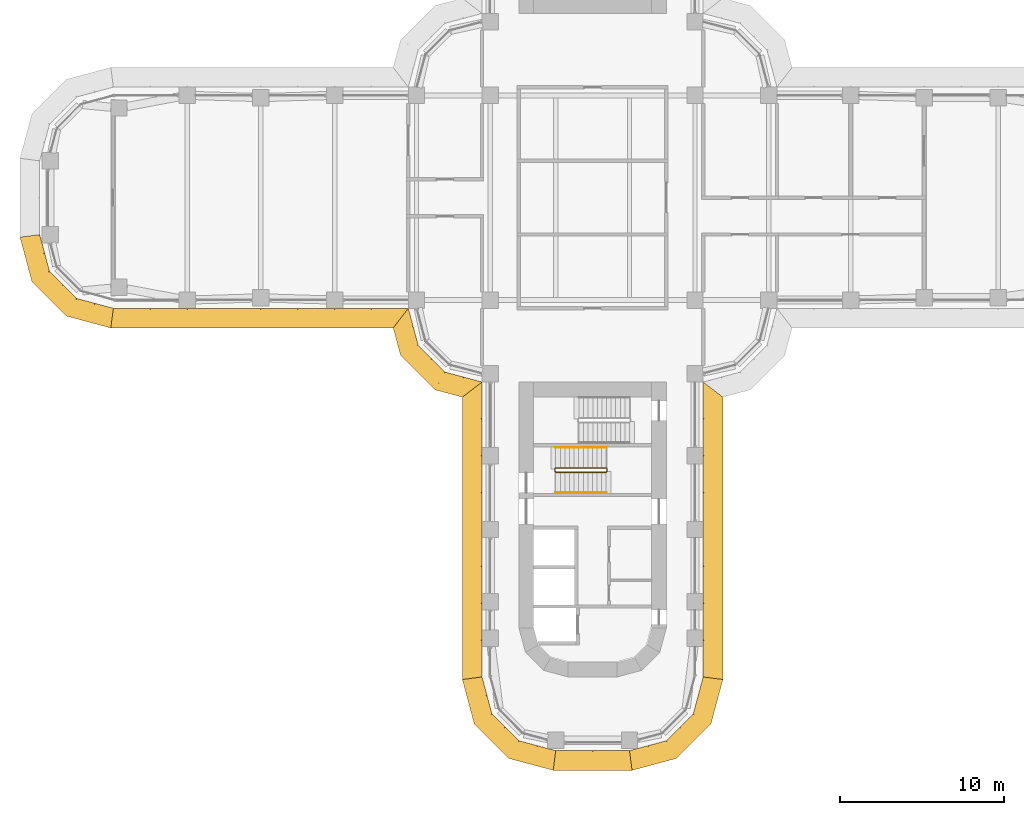
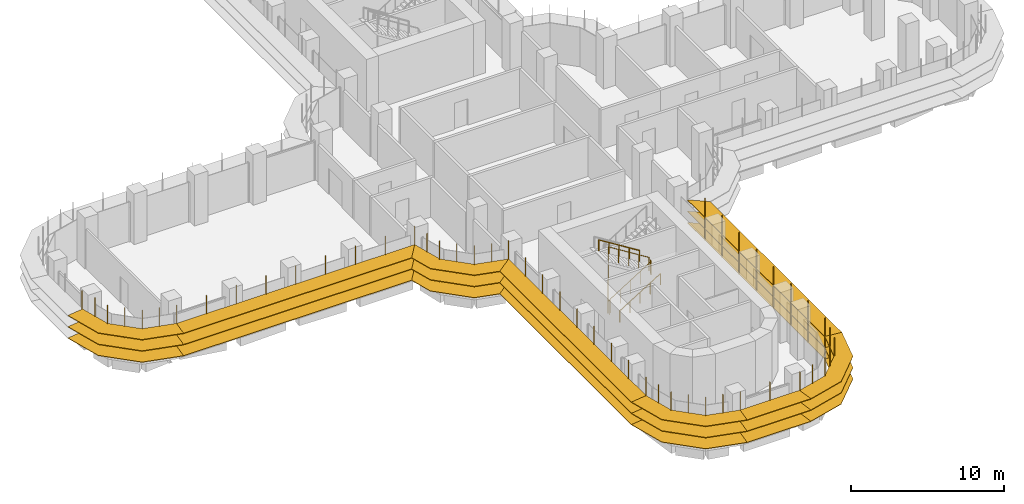
# One storey, part 20 of 23: 8 shading devices, 3 railings.
"""IFC4 building model written with IfcOpenShell, lengths in metres."""

from ifc_helpers import new_model, si_unit, direction, frame, origin, origin_2d, place, context, subcontext, project, spatial, polyline, circle, outline, extrude, faceted_brep, source, transform, mapped, material, type_object, element, save


model = new_model("IFC4")

# Units and contexts
model_context = context("Model", 3, precision=1e-05, world=origin(), true_north=direction((0.0, 1.0)))
body_context = subcontext(model_context, "Body", "Model", "MODEL_VIEW")
ifc_project = project(units=[si_unit("LENGTHUNIT", "METRE"), si_unit("AREAUNIT", "SQUARE_METRE"), si_unit("VOLUMEUNIT", "CUBIC_METRE"), si_unit("PLANEANGLEUNIT", "RADIAN"), si_unit("MASSUNIT", "GRAM", prefix="KILO")], contexts=[model_context])

# Site, building, storey
site_placement = place(None, origin())
site = spatial("IfcSite", under=ifc_project, at=site_placement, CompositionType="ELEMENT")
building_placement = place(site_placement, origin())
building = spatial("IfcBuilding", under=site, at=building_placement, Name="Zarbagh Exchange Tower", CompositionType="ELEMENT")
storey_placement = place(building_placement, frame((0.0, 0.0, 77.39990234375)))
storey = spatial("IfcBuildingStorey", under=building, at=storey_placement, Name="L17", CompositionType="ELEMENT", Elevation=77.39990234375)

# Railings
ifc_material_1 = material(Name="Stainless steel", Category="steel")
railing_type_1 = type_object("IfcRailingType", Name="Stair guard 1100 mm", PredefinedType="GUARDRAIL", material=ifc_material_1)
railing_1_placement = place(storey_placement, frame((0.830078125, -16.5, 2.275146484375)))
element("IfcRailing", 1, at=railing_1_placement, inside=storey, type_object=railing_type_1, Name="ST3 stair guard 1", PredefinedType="GUARDRAIL", context=body_context, shape_type="SweptSolid", body=[
    extrude(circle(Radius=0.02392578125, at=origin_2d()), frame((0.0, 0.0, 1.076171875), z_axis=(-0.847998304005, 0.0, 0.529998940003), x_axis=(0.0, -1.0, 0.0)), (0.0, 0.0, 1.0), 3.632080078125),
    extrude(circle(Radius=0.02392578125, at=origin_2d()), frame((-3.080078125, 0.0, 3.0009765625), z_axis=(-0.011914141993, -0.011914141993, -0.999858043145), x_axis=(0.707106781187, -0.707106781187, 0.0)), (0.0, 0.0, 1.0), 4.20068359375),
    extrude(circle(Radius=0.02392578125, at=origin_2d()), frame((-3.130126953125, -0.050048828125, -1.19921875), z_axis=(0.0, -1.0, 0.0), x_axis=(1.0, 0.0, 0.0)), (0.0, 0.0, 1.0), 0.14990234375),
    extrude(circle(Radius=0.02392578125, at=origin_2d()), frame((-3.130126953125, -0.199951171875, -1.19921875), z_axis=(0.265065253269, -0.265065253269, 0.927081885822), x_axis=(0.707106781187, 0.707106781187, 0.0)), (0.0, 0.0, 1.0), 0.188720703125),
    extrude(circle(Radius=0.02392578125, at=origin_2d()), frame((-3.080078125, -0.25, -1.02392578125), z_axis=(0.847998304005, 0.0, 0.529998940003), x_axis=(0.0, 1.0, 0.0)), (0.0, 0.0, 1.0), 3.632080078125),
    extrude(circle(Radius=0.02392578125, at=origin_2d()), frame((0.0, -0.25, 0.90087890625), z_axis=(0.705375805398, 0.708833529934, 0.0), x_axis=(-0.708833529934, 0.705375805398, 0.0)), (0.0, 0.0, 1.0), 0.070556640625),
    extrude(circle(Radius=0.02392578125, at=origin_2d()), frame((0.0498046875, -0.199951171875, 0.90087890625), z_axis=(0.0, 1.0, 0.0), x_axis=(-1.0, 0.0, 0.0)), (0.0, 0.0, 1.0), 0.14990234375),
    extrude(circle(Radius=0.02099609375, at=origin_2d()), origin(), (0.0, 0.0, 1.0), 1.052001953125),
    extrude(circle(Radius=0.02099609375, at=origin_2d()), frame((-0.77001953125, 0.0, 0.481201171875)), (0.0, 0.0, 1.0), 1.052001953125),
    extrude(circle(Radius=0.02099609375, at=origin_2d()), frame((-1.5400390625, 0.0, 0.96240234375)), (0.0, 0.0, 1.0), 1.052001953125),
    extrude(circle(Radius=0.02099609375, at=origin_2d()), frame((-2.31005859375, 0.0, 1.44384765625)), (0.0, 0.0, 1.0), 1.052001953125),
    extrude(circle(Radius=0.02099609375, at=origin_2d()), frame((-3.080078125, 0.0, 1.925048828125)), (0.0, 0.0, 1.0), 1.052001953125),
    extrude(circle(Radius=0.02099609375, at=origin_2d()), frame((-3.092529296875, -0.012451171875, 0.875)), (0.0, 0.0, 1.0), 1.052001953125),
    extrude(circle(Radius=0.02099609375, at=origin_2d()), frame((-3.10498046875, -0.02490234375, -0.175048828125)), (0.0, 0.0, 1.0), 1.052001953125),
    extrude(circle(Radius=0.02099609375, at=origin_2d()), frame((-3.11767578125, -0.03759765625, -1.22509765625)), (0.0, 0.0, 1.0), 1.052001953125),
    extrude(circle(Radius=0.02099609375, at=origin_2d()), frame((-3.130126953125, -0.050048828125, -2.275146484375)), (0.0, 0.0, 1.0), 1.052001953125),
    extrude(circle(Radius=0.02099609375, at=origin_2d()), frame((-3.130126953125, -0.199951171875, -2.275146484375)), (0.0, 0.0, 1.0), 1.052001953125),
    extrude(circle(Radius=0.02099609375, at=origin_2d()), frame((-3.080078125, -0.25, -2.10009765625)), (0.0, 0.0, 1.0), 1.052001953125),
    extrude(circle(Radius=0.02099609375, at=origin_2d()), frame((-2.31005859375, -0.25, -1.618896484375)), (0.0, 0.0, 1.0), 1.052001953125),
    extrude(circle(Radius=0.02099609375, at=origin_2d()), frame((-1.5400390625, -0.25, -1.1376953125)), (0.0, 0.0, 1.0), 1.052001953125),
    extrude(circle(Radius=0.02099609375, at=origin_2d()), frame((-0.77001953125, -0.25, -0.65625)), (0.0, 0.0, 1.0), 1.052001953125),
    extrude(circle(Radius=0.02099609375, at=origin_2d()), frame((0.0, -0.25, -0.175048828125)), (0.0, 0.0, 1.0), 1.052001953125),
    extrude(circle(Radius=0.02099609375, at=origin_2d()), frame((0.0498046875, -0.199951171875, -0.175048828125)), (0.0, 0.0, 1.0), 1.052001953125),
    extrude(circle(Radius=0.02099609375, at=origin_2d()), frame((0.0498046875, -0.050048828125, -0.175048828125)), (0.0, 0.0, 1.0), 1.052001953125),
])
railing_type_2 = type_object("IfcRailingType", Name="Stair handrail 900 mm", PredefinedType="HANDRAIL", material=ifc_material_1)
railing_2_placement = place(storey_placement, frame((-2.25, -18.0, 0.175048828125)))
element("IfcRailing", 2, at=railing_2_placement, inside=storey, type_object=railing_type_2, Name="ST3 stair handrail 1", PredefinedType="HANDRAIL", context=body_context, shape_type="SweptSolid", body=[
    extrude(circle(Radius=0.02392578125, at=origin_2d()), frame((0.0, 0.0, 0.8759765625), z_axis=(0.847998304005, 0.0, 0.529998940003), x_axis=(0.0, 1.0, 0.0)), (0.0, 0.0, 1.0), 3.632080078125),
    extrude(circle(Radius=0.02099609375, at=origin_2d()), origin(), (0.0, 0.0, 1.0), 0.851806640625),
    extrude(circle(Radius=0.02099609375, at=origin_2d()), frame((0.77001953125, 0.0, 0.481201171875)), (0.0, 0.0, 1.0), 0.851806640625),
    extrude(circle(Radius=0.02099609375, at=origin_2d()), frame((1.5400390625, 0.0, 0.96240234375)), (0.0, 0.0, 1.0), 0.851806640625),
    extrude(circle(Radius=0.02099609375, at=origin_2d()), frame((2.31005859375, 0.0, 1.44384765625)), (0.0, 0.0, 1.0), 0.851806640625),
    extrude(circle(Radius=0.02099609375, at=origin_2d()), frame((3.080078125, 0.0, 1.925048828125)), (0.0, 0.0, 1.0), 0.851806640625),
])
railing_3_placement = place(storey_placement, frame((0.830078125, -15.25, 2.275146484375)))
element("IfcRailing", 3, at=railing_3_placement, inside=storey, type_object=railing_type_2, Name="ST3 stair handrail 2", PredefinedType="HANDRAIL", context=body_context, shape_type="SweptSolid", body=[
    extrude(circle(Radius=0.02392578125, at=origin_2d()), frame((0.0, 0.0, 0.8759765625), z_axis=(-0.847998304005, 0.0, 0.529998940003), x_axis=(0.0, -1.0, 0.0)), (0.0, 0.0, 1.0), 3.632080078125),
    extrude(circle(Radius=0.02099609375, at=origin_2d()), origin(), (0.0, 0.0, 1.0), 0.851806640625),
    extrude(circle(Radius=0.02099609375, at=origin_2d()), frame((-0.77001953125, 0.0, 0.481201171875)), (0.0, 0.0, 1.0), 0.851806640625),
    extrude(circle(Radius=0.02099609375, at=origin_2d()), frame((-1.5400390625, 0.0, 0.96240234375)), (0.0, 0.0, 1.0), 0.851806640625),
    extrude(circle(Radius=0.02099609375, at=origin_2d()), frame((-2.31005859375, 0.0, 1.44384765625)), (0.0, 0.0, 1.0), 0.851806640625),
    extrude(circle(Radius=0.02099609375, at=origin_2d()), frame((-3.080078125, 0.0, 1.925048828125)), (0.0, 0.0, 1.0), 0.851806640625),
])

# Shading devices
ifc_material_2 = material(Name="Anodised aluminium blades and brackets", Category="aluminium")
shading_device_type = type_object("IfcShadingDeviceType", Name="SUNSHADE louvre band, 0 degree blades", PredefinedType="JALOUSIE", material=ifc_material_2)
shared_shape_1 = source(origin(), body_context, "Body", "Brep", [
    faceted_brep([(0.0, 0.0, 0.0), (0.0, 0.0, -0.0400390625), (-0.157958984375, -1.199951171875, -0.0400390625), (-0.157958984375, -1.199951171875, 0.0), (2.65087890625, -1.199951171875, 0.0), (2.65087890625, -1.199951171875, -0.0400390625), (2.329345703125, 0.0, -0.0400390625), (2.329345703125, 0.0, 0.0)], [[[0, 1, 2, 3]], [[4, 5, 6, 7]], [[0, 7, 6, 1]], [[1, 6, 5, 2]], [[2, 5, 4, 3]], [[3, 4, 7, 0]]]),
])
shared_shape_2 = source(origin(), body_context, "Body", "Brep", [
    faceted_brep([(0.0, 0.0, 0.0), (0.0, 0.0, -0.0400390625), (-0.321533203125, -1.199951171875, -0.0400390625), (-0.321533203125, -1.199951171875, 0.0), (2.65087890625, -1.199951171875, 0.0), (2.65087890625, -1.199951171875, -0.0400390625), (2.329345703125, 0.0, -0.0400390625), (2.329345703125, 0.0, 0.0)], [[[0, 1, 2, 3]], [[4, 5, 6, 7]], [[0, 7, 6, 1]], [[1, 6, 5, 2]], [[2, 5, 4, 3]], [[3, 4, 7, 0]]]),
])
shared_shape_3 = source(origin(), body_context, "Body", "Brep", [
    faceted_brep([(0.0, 0.0, 0.0), (0.0, 0.0, -0.0400390625), (-0.321533203125, -1.199951171875, -0.0400390625), (-0.321533203125, -1.199951171875, 0.0), (2.4873046875, -1.199951171875, 0.0), (2.4873046875, -1.199951171875, -0.0400390625), (2.329345703125, 0.0, -0.0400390625), (2.329345703125, 0.0, 0.0)], [[[0, 1, 2, 3]], [[4, 5, 6, 7]], [[0, 7, 6, 1]], [[1, 6, 5, 2]], [[2, 5, 4, 3]], [[3, 4, 7, 0]]]),
])
shared_shape_4 = source(origin(), body_context, "Body", "SweptSolid", [
    extrude(outline(polyline([(0.0, -0.012451171875), (0.06005859375, -0.012451171875), (0.06005859375, 0.012451171875), (0.0, 0.012451171875), (0.0, -0.012451171875)])), origin(), (0.0, 0.0, 1.0), 3.35009765625),
])
placement = place(storey_placement, origin())
element("IfcShadingDevice", 4, at=placement, inside=storey, type_object=shading_device_type, Name="SS01 sunshade band", PredefinedType="JALOUSIE", context=body_context, shape_type="MappedRepresentation", body=[
    mapped(shared_shape_1, transform((2.25, -33.75, 2.7001953125), x_axis=(0.965924289636, 0.258824779902, 0.0), y_axis=(-0.258824779902, 0.965924289636, 0.0), z_axis=(0.0, 0.0, 1.0))),
    mapped(shared_shape_1, transform((2.25, -33.75, 1.800048828125), x_axis=(0.965924289636, 0.258824779902, 0.0), y_axis=(-0.258824779902, 0.965924289636, 0.0), z_axis=(0.0, 0.0, 1.0))),
    mapped(shared_shape_1, transform((2.25, -33.75, 0.900146484375), x_axis=(0.965924289636, 0.258824779902, 0.0), y_axis=(-0.258824779902, 0.965924289636, 0.0), z_axis=(0.0, 0.0, 1.0))),
    mapped(shared_shape_2, transform((4.5, -33.147216796875, 2.7001953125), x_axis=(0.707106781187, 0.707106781187, 0.0), y_axis=(-0.707106781187, 0.707106781187, 0.0), z_axis=(0.0, 0.0, 1.0))),
    mapped(shared_shape_2, transform((4.5, -33.147216796875, 1.800048828125), x_axis=(0.707106781187, 0.707106781187, 0.0), y_axis=(-0.707106781187, 0.707106781187, 0.0), z_axis=(0.0, 0.0, 1.0))),
    mapped(shared_shape_2, transform((4.5, -33.147216796875, 0.900146484375), x_axis=(0.707106781187, 0.707106781187, 0.0), y_axis=(-0.707106781187, 0.707106781187, 0.0), z_axis=(0.0, 0.0, 1.0))),
    mapped(shared_shape_3, transform((6.147216796875, -31.5, 2.7001953125), x_axis=(0.258824779902, 0.965924289636, 0.0), y_axis=(-0.965924289636, 0.258824779902, 0.0), z_axis=(0.0, 0.0, 1.0))),
    mapped(shared_shape_3, transform((6.147216796875, -31.5, 1.800048828125), x_axis=(0.258824779902, 0.965924289636, 0.0), y_axis=(-0.965924289636, 0.258824779902, 0.0), z_axis=(0.0, 0.0, 1.0))),
    mapped(shared_shape_3, transform((6.147216796875, -31.5, 0.900146484375), x_axis=(0.258824779902, 0.965924289636, 0.0), y_axis=(-0.965924289636, 0.258824779902, 0.0), z_axis=(0.0, 0.0, 1.0))),
    mapped(shared_shape_4, transform((2.25, -33.75, 0.830078125), x_axis=(0.130529263012, -0.991444457092, 0.0), y_axis=(0.991444457092, 0.130529263012, 0.0), z_axis=(0.0, 0.0, 1.0))),
    mapped(shared_shape_4, transform((3.375, -33.448486328125, 0.830078125), x_axis=(0.258825058029, -0.96592421511, 0.0), y_axis=(0.96592421511, 0.258825058029, 0.0), z_axis=(0.0, 0.0, 1.0))),
    mapped(shared_shape_4, transform((4.5, -33.147216796875, 0.830078125), x_axis=(0.50000275701, -0.866023812018, 0.0), y_axis=(0.866023812018, 0.50000275701, 0.0), z_axis=(0.0, 0.0, 1.0))),
    mapped(shared_shape_4, transform((5.323486328125, -32.323486328125, 0.830078125), x_axis=(0.707106781187, -0.707106781187, 0.0), y_axis=(0.707106781187, 0.707106781187, 0.0), z_axis=(0.0, 0.0, 1.0))),
    mapped(shared_shape_4, transform((6.147216796875, -31.5, 0.830078125), x_axis=(0.866023812018, -0.50000275701, 0.0), y_axis=(0.50000275701, 0.866023812018, 0.0), z_axis=(0.0, 0.0, 1.0))),
    mapped(shared_shape_4, transform((6.448486328125, -30.375, 0.830078125), x_axis=(0.96592421511, -0.258825058029, 0.0), y_axis=(0.258825058029, 0.96592421511, 0.0), z_axis=(0.0, 0.0, 1.0))),
])
element("IfcShadingDevice", 5, at=placement, inside=storey, type_object=shading_device_type, Name="SS19 sunshade band", PredefinedType="JALOUSIE", context=body_context, shape_type="MappedRepresentation", body=[
    mapped(shared_shape_1, transform((-33.75, -2.25, 2.7001953125), x_axis=(0.258824779902, -0.965924289636, 0.0), y_axis=(0.965924289636, 0.258824779902, 0.0), z_axis=(0.0, 0.0, 1.0))),
    mapped(shared_shape_1, transform((-33.75, -2.25, 1.800048828125), x_axis=(0.258824779902, -0.965924289636, 0.0), y_axis=(0.965924289636, 0.258824779902, 0.0), z_axis=(0.0, 0.0, 1.0))),
    mapped(shared_shape_1, transform((-33.75, -2.25, 0.900146484375), x_axis=(0.258824779902, -0.965924289636, 0.0), y_axis=(0.965924289636, 0.258824779902, 0.0), z_axis=(0.0, 0.0, 1.0))),
    mapped(shared_shape_2, transform((-33.147216796875, -4.5, 2.7001953125), x_axis=(0.707106781187, -0.707106781187, 0.0), y_axis=(0.707106781187, 0.707106781187, 0.0), z_axis=(0.0, 0.0, 1.0))),
    mapped(shared_shape_2, transform((-33.147216796875, -4.5, 1.800048828125), x_axis=(0.707106781187, -0.707106781187, 0.0), y_axis=(0.707106781187, 0.707106781187, 0.0), z_axis=(0.0, 0.0, 1.0))),
    mapped(shared_shape_2, transform((-33.147216796875, -4.5, 0.900146484375), x_axis=(0.707106781187, -0.707106781187, 0.0), y_axis=(0.707106781187, 0.707106781187, 0.0), z_axis=(0.0, 0.0, 1.0))),
    mapped(shared_shape_3, transform((-31.5, -6.147216796875, 2.7001953125), x_axis=(0.965924289636, -0.258824779902, 0.0), y_axis=(0.258824779902, 0.965924289636, 0.0), z_axis=(0.0, 0.0, 1.0))),
    mapped(shared_shape_3, transform((-31.5, -6.147216796875, 1.800048828125), x_axis=(0.965924289636, -0.258824779902, 0.0), y_axis=(0.258824779902, 0.965924289636, 0.0), z_axis=(0.0, 0.0, 1.0))),
    mapped(shared_shape_3, transform((-31.5, -6.147216796875, 0.900146484375), x_axis=(0.965924289636, -0.258824779902, 0.0), y_axis=(0.258824779902, 0.965924289636, 0.0), z_axis=(0.0, 0.0, 1.0))),
    mapped(shared_shape_4, transform((-33.75, -2.25, 0.830078125), x_axis=(-0.991444457092, -0.130529263012, 0.0), y_axis=(0.130529263012, -0.991444457092, 0.0), z_axis=(0.0, 0.0, 1.0))),
    mapped(shared_shape_4, transform((-33.448486328125, -3.375, 0.830078125), x_axis=(-0.96592421511, -0.258825058029, 0.0), y_axis=(0.258825058029, -0.96592421511, 0.0), z_axis=(0.0, 0.0, 1.0))),
    mapped(shared_shape_4, transform((-33.147216796875, -4.5, 0.830078125), x_axis=(-0.866023812018, -0.50000275701, 0.0), y_axis=(0.50000275701, -0.866023812018, 0.0), z_axis=(0.0, 0.0, 1.0))),
    mapped(shared_shape_4, transform((-32.323486328125, -5.323486328125, 0.830078125), x_axis=(-0.707106781187, -0.707106781187, 0.0), y_axis=(0.707106781187, -0.707106781187, 0.0), z_axis=(0.0, 0.0, 1.0))),
    mapped(shared_shape_4, transform((-31.5, -6.147216796875, 0.830078125), x_axis=(-0.50000275701, -0.866023812018, 0.0), y_axis=(0.866023812018, -0.50000275701, 0.0), z_axis=(0.0, 0.0, 1.0))),
    mapped(shared_shape_4, transform((-30.375, -6.448486328125, 0.830078125), x_axis=(-0.258825058029, -0.96592421511, 0.0), y_axis=(0.96592421511, -0.258825058029, 0.0), z_axis=(0.0, 0.0, 1.0))),
])
element("IfcShadingDevice", 6, at=placement, inside=storey, type_object=shading_device_type, Name="SS23 sunshade band", PredefinedType="JALOUSIE", context=body_context, shape_type="MappedRepresentation", body=[
    mapped(shared_shape_1, transform((-6.75, -29.25, 2.7001953125), x_axis=(0.258824779902, -0.965924289636, 0.0), y_axis=(0.965924289636, 0.258824779902, 0.0), z_axis=(0.0, 0.0, 1.0))),
    mapped(shared_shape_1, transform((-6.75, -29.25, 1.800048828125), x_axis=(0.258824779902, -0.965924289636, 0.0), y_axis=(0.965924289636, 0.258824779902, 0.0), z_axis=(0.0, 0.0, 1.0))),
    mapped(shared_shape_1, transform((-6.75, -29.25, 0.900146484375), x_axis=(0.258824779902, -0.965924289636, 0.0), y_axis=(0.965924289636, 0.258824779902, 0.0), z_axis=(0.0, 0.0, 1.0))),
    mapped(shared_shape_2, transform((-6.147216796875, -31.5, 2.7001953125), x_axis=(0.707106781187, -0.707106781187, 0.0), y_axis=(0.707106781187, 0.707106781187, 0.0), z_axis=(0.0, 0.0, 1.0))),
    mapped(shared_shape_2, transform((-6.147216796875, -31.5, 1.800048828125), x_axis=(0.707106781187, -0.707106781187, 0.0), y_axis=(0.707106781187, 0.707106781187, 0.0), z_axis=(0.0, 0.0, 1.0))),
    mapped(shared_shape_2, transform((-6.147216796875, -31.5, 0.900146484375), x_axis=(0.707106781187, -0.707106781187, 0.0), y_axis=(0.707106781187, 0.707106781187, 0.0), z_axis=(0.0, 0.0, 1.0))),
    mapped(shared_shape_3, transform((-4.5, -33.147216796875, 2.7001953125), x_axis=(0.965924289636, -0.258824779902, 0.0), y_axis=(0.258824779902, 0.965924289636, 0.0), z_axis=(0.0, 0.0, 1.0))),
    mapped(shared_shape_3, transform((-4.5, -33.147216796875, 1.800048828125), x_axis=(0.965924289636, -0.258824779902, 0.0), y_axis=(0.258824779902, 0.965924289636, 0.0), z_axis=(0.0, 0.0, 1.0))),
    mapped(shared_shape_3, transform((-4.5, -33.147216796875, 0.900146484375), x_axis=(0.965924289636, -0.258824779902, 0.0), y_axis=(0.258824779902, 0.965924289636, 0.0), z_axis=(0.0, 0.0, 1.0))),
    mapped(shared_shape_4, transform((-6.75, -29.25, 0.830078125), x_axis=(-0.991444457092, -0.130529263012, 0.0), y_axis=(0.130529263012, -0.991444457092, 0.0), z_axis=(0.0, 0.0, 1.0))),
    mapped(shared_shape_4, transform((-6.448486328125, -30.375, 0.830078125), x_axis=(-0.96592421511, -0.258825058029, 0.0), y_axis=(0.258825058029, -0.96592421511, 0.0), z_axis=(0.0, 0.0, 1.0))),
    mapped(shared_shape_4, transform((-6.147216796875, -31.5, 0.830078125), x_axis=(-0.866023812018, -0.50000275701, 0.0), y_axis=(0.50000275701, -0.866023812018, 0.0), z_axis=(0.0, 0.0, 1.0))),
    mapped(shared_shape_4, transform((-5.323486328125, -32.323486328125, 0.830078125), x_axis=(-0.707106781187, -0.707106781187, 0.0), y_axis=(0.707106781187, -0.707106781187, 0.0), z_axis=(0.0, 0.0, 1.0))),
    mapped(shared_shape_4, transform((-4.5, -33.147216796875, 0.830078125), x_axis=(-0.50000275701, -0.866023812018, 0.0), y_axis=(0.866023812018, -0.50000275701, 0.0), z_axis=(0.0, 0.0, 1.0))),
    mapped(shared_shape_4, transform((-3.375, -33.448486328125, 0.830078125), x_axis=(-0.258825058029, -0.96592421511, 0.0), y_axis=(0.96592421511, -0.258825058029, 0.0), z_axis=(0.0, 0.0, 1.0))),
])
shared_shape_5 = source(origin(), body_context, "Body", "Brep", [
    faceted_brep([(0.0, 0.0, 0.0), (0.0, 0.0, -0.0400390625), (0.9208984375, -1.199951171875, -0.0400390625), (0.9208984375, -1.199951171875, 0.0), (2.65087890625, -1.199951171875, 0.0), (2.65087890625, -1.199951171875, -0.0400390625), (2.329345703125, 0.0, -0.0400390625), (2.329345703125, 0.0, 0.0)], [[[0, 1, 2, 3]], [[4, 5, 6, 7]], [[0, 7, 6, 1]], [[1, 6, 5, 2]], [[2, 5, 4, 3]], [[3, 4, 7, 0]]]),
])
shared_shape_6 = source(origin(), body_context, "Body", "Brep", [
    faceted_brep([(0.0, 0.0, 0.0), (0.0, 0.0, -0.0400390625), (-0.321533203125, -1.199951171875, -0.0400390625), (-0.321533203125, -1.199951171875, 0.0), (1.40869140625, -1.199951171875, 0.0), (1.40869140625, -1.199951171875, -0.0400390625), (2.329345703125, 0.0, -0.0400390625), (2.329345703125, 0.0, 0.0)], [[[0, 1, 2, 3]], [[4, 5, 6, 7]], [[0, 7, 6, 1]], [[1, 6, 5, 2]], [[2, 5, 4, 3]], [[3, 4, 7, 0]]]),
])
element("IfcShadingDevice", 7, at=placement, inside=storey, type_object=shading_device_type, Name="SS21 sunshade band", PredefinedType="JALOUSIE", context=body_context, shape_type="MappedRepresentation", body=[
    mapped(shared_shape_5, transform((-11.25, -6.75, 2.7001953125), x_axis=(0.258824779902, -0.965924289636, 0.0), y_axis=(0.965924289636, 0.258824779902, 0.0), z_axis=(0.0, 0.0, 1.0))),
    mapped(shared_shape_5, transform((-11.25, -6.75, 1.800048828125), x_axis=(0.258824779902, -0.965924289636, 0.0), y_axis=(0.965924289636, 0.258824779902, 0.0), z_axis=(0.0, 0.0, 1.0))),
    mapped(shared_shape_5, transform((-11.25, -6.75, 0.900146484375), x_axis=(0.258824779902, -0.965924289636, 0.0), y_axis=(0.965924289636, 0.258824779902, 0.0), z_axis=(0.0, 0.0, 1.0))),
    mapped(shared_shape_2, transform((-10.647216796875, -9.0, 2.7001953125), x_axis=(0.707106781187, -0.707106781187, 0.0), y_axis=(0.707106781187, 0.707106781187, 0.0), z_axis=(0.0, 0.0, 1.0))),
    mapped(shared_shape_2, transform((-10.647216796875, -9.0, 1.800048828125), x_axis=(0.707106781187, -0.707106781187, 0.0), y_axis=(0.707106781187, 0.707106781187, 0.0), z_axis=(0.0, 0.0, 1.0))),
    mapped(shared_shape_2, transform((-10.647216796875, -9.0, 0.900146484375), x_axis=(0.707106781187, -0.707106781187, 0.0), y_axis=(0.707106781187, 0.707106781187, 0.0), z_axis=(0.0, 0.0, 1.0))),
    mapped(shared_shape_6, transform((-9.0, -10.647216796875, 2.7001953125), x_axis=(0.965924289636, -0.258824779902, 0.0), y_axis=(0.258824779902, 0.965924289636, 0.0), z_axis=(0.0, 0.0, 1.0))),
    mapped(shared_shape_6, transform((-9.0, -10.647216796875, 1.800048828125), x_axis=(0.965924289636, -0.258824779902, 0.0), y_axis=(0.258824779902, 0.965924289636, 0.0), z_axis=(0.0, 0.0, 1.0))),
    mapped(shared_shape_6, transform((-9.0, -10.647216796875, 0.900146484375), x_axis=(0.965924289636, -0.258824779902, 0.0), y_axis=(0.258824779902, 0.965924289636, 0.0), z_axis=(0.0, 0.0, 1.0))),
    mapped(shared_shape_4, transform((-11.25, -6.75, 0.830078125), x_axis=(-0.608758892, -0.793355287, 0.0), y_axis=(0.793355287, -0.608758892, 0.0), z_axis=(0.0, 0.0, 1.0))),
    mapped(shared_shape_4, transform((-10.948486328125, -7.875, 0.830078125), x_axis=(-0.96592421511, -0.258825058029, 0.0), y_axis=(0.258825058029, -0.96592421511, 0.0), z_axis=(0.0, 0.0, 1.0))),
    mapped(shared_shape_4, transform((-10.647216796875, -9.0, 0.830078125), x_axis=(-0.866023812018, -0.50000275701, 0.0), y_axis=(0.50000275701, -0.866023812018, 0.0), z_axis=(0.0, 0.0, 1.0))),
    mapped(shared_shape_4, transform((-9.823486328125, -9.823486328125, 0.830078125), x_axis=(-0.707106781187, -0.707106781187, 0.0), y_axis=(0.707106781187, -0.707106781187, 0.0), z_axis=(0.0, 0.0, 1.0))),
    mapped(shared_shape_4, transform((-9.0, -10.647216796875, 0.830078125), x_axis=(-0.50000275701, -0.866023812018, 0.0), y_axis=(0.866023812018, -0.50000275701, 0.0), z_axis=(0.0, 0.0, 1.0))),
    mapped(shared_shape_4, transform((-7.875, -10.948486328125, 0.830078125), x_axis=(-0.258825058029, -0.96592421511, 0.0), y_axis=(0.96592421511, -0.258825058029, 0.0), z_axis=(0.0, 0.0, 1.0))),
])
shared_shape_7 = source(origin(), body_context, "Body", "Brep", [
    faceted_brep([(0.0, 0.0, 0.0), (0.0, 0.0, -0.0400390625), (-0.157958984375, -1.199951171875, -0.0400390625), (-0.157958984375, -1.199951171875, 0.0), (17.0791015625, -1.199951171875, 0.0), (17.0791015625, -1.199951171875, -0.0400390625), (18.0, 0.0, -0.0400390625), (18.0, 0.0, 0.0)], [[[0, 1, 2, 3]], [[4, 5, 6, 7]], [[0, 7, 6, 1]], [[1, 6, 5, 2]], [[2, 5, 4, 3]], [[3, 4, 7, 0]]]),
])
element("IfcShadingDevice", 8, at=placement, inside=storey, type_object=shading_device_type, Name="SS02 sunshade band", PredefinedType="JALOUSIE", context=body_context, shape_type="MappedRepresentation", body=[
    mapped(shared_shape_7, transform((6.75, -29.25, 2.7001953125), x_axis=(0.0, 1.0, 0.0), y_axis=(-1.0, 0.0, 0.0), z_axis=(0.0, 0.0, 1.0))),
    mapped(shared_shape_7, transform((6.75, -29.25, 1.800048828125), x_axis=(0.0, 1.0, 0.0), y_axis=(-1.0, 0.0, 0.0), z_axis=(0.0, 0.0, 1.0))),
    mapped(shared_shape_7, transform((6.75, -29.25, 0.900146484375), x_axis=(0.0, 1.0, 0.0), y_axis=(-1.0, 0.0, 0.0), z_axis=(0.0, 0.0, 1.0))),
    mapped(shared_shape_4, transform((6.75, -29.25, 0.830078125), x_axis=(0.991444457092, -0.130529263012, 0.0), y_axis=(0.130529263012, 0.991444457092, 0.0), z_axis=(0.0, 0.0, 1.0))),
    mapped(shared_shape_4, transform((6.75, -27.0, 0.830078125), x_axis=(1.0, 0.0, 0.0), y_axis=(0.0, 1.0, 0.0), z_axis=(0.0, 0.0, 1.0))),
    mapped(shared_shape_4, transform((6.75, -24.75, 0.830078125), x_axis=(1.0, 0.0, 0.0), y_axis=(0.0, 1.0, 0.0), z_axis=(0.0, 0.0, 1.0))),
    mapped(shared_shape_4, transform((6.75, -22.5, 0.830078125), x_axis=(1.0, 0.0, 0.0), y_axis=(0.0, 1.0, 0.0), z_axis=(0.0, 0.0, 1.0))),
    mapped(shared_shape_4, transform((6.75, -20.25, 0.830078125), x_axis=(1.0, 0.0, 0.0), y_axis=(0.0, 1.0, 0.0), z_axis=(0.0, 0.0, 1.0))),
    mapped(shared_shape_4, transform((6.75, -18.0, 0.830078125), x_axis=(1.0, 0.0, 0.0), y_axis=(0.0, 1.0, 0.0), z_axis=(0.0, 0.0, 1.0))),
    mapped(shared_shape_4, transform((6.75, -15.75, 0.830078125), x_axis=(1.0, 0.0, 0.0), y_axis=(0.0, 1.0, 0.0), z_axis=(0.0, 0.0, 1.0))),
    mapped(shared_shape_4, transform((6.75, -13.5, 0.830078125), x_axis=(1.0, 0.0, 0.0), y_axis=(0.0, 1.0, 0.0), z_axis=(0.0, 0.0, 1.0))),
])
element("IfcShadingDevice", 9, at=placement, inside=storey, type_object=shading_device_type, Name="SS20 sunshade band", PredefinedType="JALOUSIE", context=body_context, shape_type="MappedRepresentation", body=[
    mapped(shared_shape_7, transform((-29.25, -6.75, 2.7001953125), x_axis=(1.0, 0.0, 0.0), y_axis=(0.0, 1.0, 0.0), z_axis=(0.0, 0.0, 1.0))),
    mapped(shared_shape_7, transform((-29.25, -6.75, 1.800048828125), x_axis=(1.0, 0.0, 0.0), y_axis=(0.0, 1.0, 0.0), z_axis=(0.0, 0.0, 1.0))),
    mapped(shared_shape_7, transform((-29.25, -6.75, 0.900146484375), x_axis=(1.0, 0.0, 0.0), y_axis=(0.0, 1.0, 0.0), z_axis=(0.0, 0.0, 1.0))),
    mapped(shared_shape_4, transform((-29.25, -6.75, 0.830078125), x_axis=(-0.130529263012, -0.991444457092, 0.0), y_axis=(0.991444457092, -0.130529263012, 0.0), z_axis=(0.0, 0.0, 1.0))),
    mapped(shared_shape_4, transform((-27.0, -6.75, 0.830078125), x_axis=(0.0, -1.0, 0.0), y_axis=(1.0, 0.0, 0.0), z_axis=(0.0, 0.0, 1.0))),
    mapped(shared_shape_4, transform((-24.75, -6.75, 0.830078125), x_axis=(0.0, -1.0, 0.0), y_axis=(1.0, 0.0, 0.0), z_axis=(0.0, 0.0, 1.0))),
    mapped(shared_shape_4, transform((-22.5, -6.75, 0.830078125), x_axis=(0.0, -1.0, 0.0), y_axis=(1.0, 0.0, 0.0), z_axis=(0.0, 0.0, 1.0))),
    mapped(shared_shape_4, transform((-20.25, -6.75, 0.830078125), x_axis=(0.0, -1.0, 0.0), y_axis=(1.0, 0.0, 0.0), z_axis=(0.0, 0.0, 1.0))),
    mapped(shared_shape_4, transform((-18.0, -6.75, 0.830078125), x_axis=(0.0, -1.0, 0.0), y_axis=(1.0, 0.0, 0.0), z_axis=(0.0, 0.0, 1.0))),
    mapped(shared_shape_4, transform((-15.75, -6.75, 0.830078125), x_axis=(0.0, -1.0, 0.0), y_axis=(1.0, 0.0, 0.0), z_axis=(0.0, 0.0, 1.0))),
    mapped(shared_shape_4, transform((-13.5, -6.75, 0.830078125), x_axis=(0.0, -1.0, 0.0), y_axis=(1.0, 0.0, 0.0), z_axis=(0.0, 0.0, 1.0))),
])
shared_shape_8 = source(origin(), body_context, "Body", "Brep", [
    faceted_brep([(0.0, 0.0, 0.0), (0.0, 0.0, -0.0400390625), (0.9208984375, -1.199951171875, -0.0400390625), (0.9208984375, -1.199951171875, 0.0), (18.157958984375, -1.199951171875, 0.0), (18.157958984375, -1.199951171875, -0.0400390625), (18.0, 0.0, -0.0400390625), (18.0, 0.0, 0.0)], [[[0, 1, 2, 3]], [[4, 5, 6, 7]], [[0, 7, 6, 1]], [[1, 6, 5, 2]], [[2, 5, 4, 3]], [[3, 4, 7, 0]]]),
])
element("IfcShadingDevice", 10, at=placement, inside=storey, type_object=shading_device_type, Name="SS22 sunshade band", PredefinedType="JALOUSIE", context=body_context, shape_type="MappedRepresentation", body=[
    mapped(shared_shape_8, transform((-6.75, -11.25, 2.7001953125), x_axis=(0.0, -1.0, 0.0), y_axis=(1.0, 0.0, 0.0), z_axis=(0.0, 0.0, 1.0))),
    mapped(shared_shape_8, transform((-6.75, -11.25, 1.800048828125), x_axis=(0.0, -1.0, 0.0), y_axis=(1.0, 0.0, 0.0), z_axis=(0.0, 0.0, 1.0))),
    mapped(shared_shape_8, transform((-6.75, -11.25, 0.900146484375), x_axis=(0.0, -1.0, 0.0), y_axis=(1.0, 0.0, 0.0), z_axis=(0.0, 0.0, 1.0))),
    mapped(shared_shape_4, transform((-6.75, -11.25, 0.830078125), x_axis=(-0.793355287, -0.608758892, 0.0), y_axis=(0.608758892, -0.793355287, 0.0), z_axis=(0.0, 0.0, 1.0))),
    mapped(shared_shape_4, transform((-6.75, -13.5, 0.830078125), x_axis=(-1.0, 0.0, 0.0), y_axis=(0.0, -1.0, 0.0), z_axis=(0.0, 0.0, 1.0))),
    mapped(shared_shape_4, transform((-6.75, -15.75, 0.830078125), x_axis=(-1.0, 0.0, 0.0), y_axis=(0.0, -1.0, 0.0), z_axis=(0.0, 0.0, 1.0))),
    mapped(shared_shape_4, transform((-6.75, -18.0, 0.830078125), x_axis=(-1.0, 0.0, 0.0), y_axis=(0.0, -1.0, 0.0), z_axis=(0.0, 0.0, 1.0))),
    mapped(shared_shape_4, transform((-6.75, -20.25, 0.830078125), x_axis=(-1.0, 0.0, 0.0), y_axis=(0.0, -1.0, 0.0), z_axis=(0.0, 0.0, 1.0))),
    mapped(shared_shape_4, transform((-6.75, -22.5, 0.830078125), x_axis=(-1.0, 0.0, 0.0), y_axis=(0.0, -1.0, 0.0), z_axis=(0.0, 0.0, 1.0))),
    mapped(shared_shape_4, transform((-6.75, -24.75, 0.830078125), x_axis=(-1.0, 0.0, 0.0), y_axis=(0.0, -1.0, 0.0), z_axis=(0.0, 0.0, 1.0))),
    mapped(shared_shape_4, transform((-6.75, -27.0, 0.830078125), x_axis=(-1.0, 0.0, 0.0), y_axis=(0.0, -1.0, 0.0), z_axis=(0.0, 0.0, 1.0))),
])
shared_shape_9 = source(origin(), body_context, "Body", "Brep", [
    faceted_brep([(0.0, 0.0, 0.0), (0.0, 0.0, -0.0400390625), (-0.157958984375, -1.199951171875, -0.0400390625), (-0.157958984375, -1.199951171875, 0.0), (4.657958984375, -1.199951171875, 0.0), (4.657958984375, -1.199951171875, -0.0400390625), (4.5, 0.0, -0.0400390625), (4.5, 0.0, 0.0)], [[[0, 1, 2, 3]], [[4, 5, 6, 7]], [[0, 7, 6, 1]], [[1, 6, 5, 2]], [[2, 5, 4, 3]], [[3, 4, 7, 0]]]),
])
element("IfcShadingDevice", 11, at=placement, inside=storey, type_object=shading_device_type, Name="SS24 sunshade band", PredefinedType="JALOUSIE", context=body_context, shape_type="MappedRepresentation", body=[
    mapped(shared_shape_9, transform((-2.25, -33.75, 2.7001953125), x_axis=(1.0, 0.0, 0.0), y_axis=(0.0, 1.0, 0.0), z_axis=(0.0, 0.0, 1.0))),
    mapped(shared_shape_9, transform((-2.25, -33.75, 1.800048828125), x_axis=(1.0, 0.0, 0.0), y_axis=(0.0, 1.0, 0.0), z_axis=(0.0, 0.0, 1.0))),
    mapped(shared_shape_9, transform((-2.25, -33.75, 0.900146484375), x_axis=(1.0, 0.0, 0.0), y_axis=(0.0, 1.0, 0.0), z_axis=(0.0, 0.0, 1.0))),
    mapped(shared_shape_4, transform((-2.25, -33.75, 0.830078125), x_axis=(-0.130529263012, -0.991444457092, 0.0), y_axis=(0.991444457092, -0.130529263012, 0.0), z_axis=(0.0, 0.0, 1.0))),
    mapped(shared_shape_4, transform((0.0, -33.75, 0.830078125), x_axis=(0.0, -1.0, 0.0), y_axis=(1.0, 0.0, 0.0), z_axis=(0.0, 0.0, 1.0))),
])

save(model, "model.ifc")
